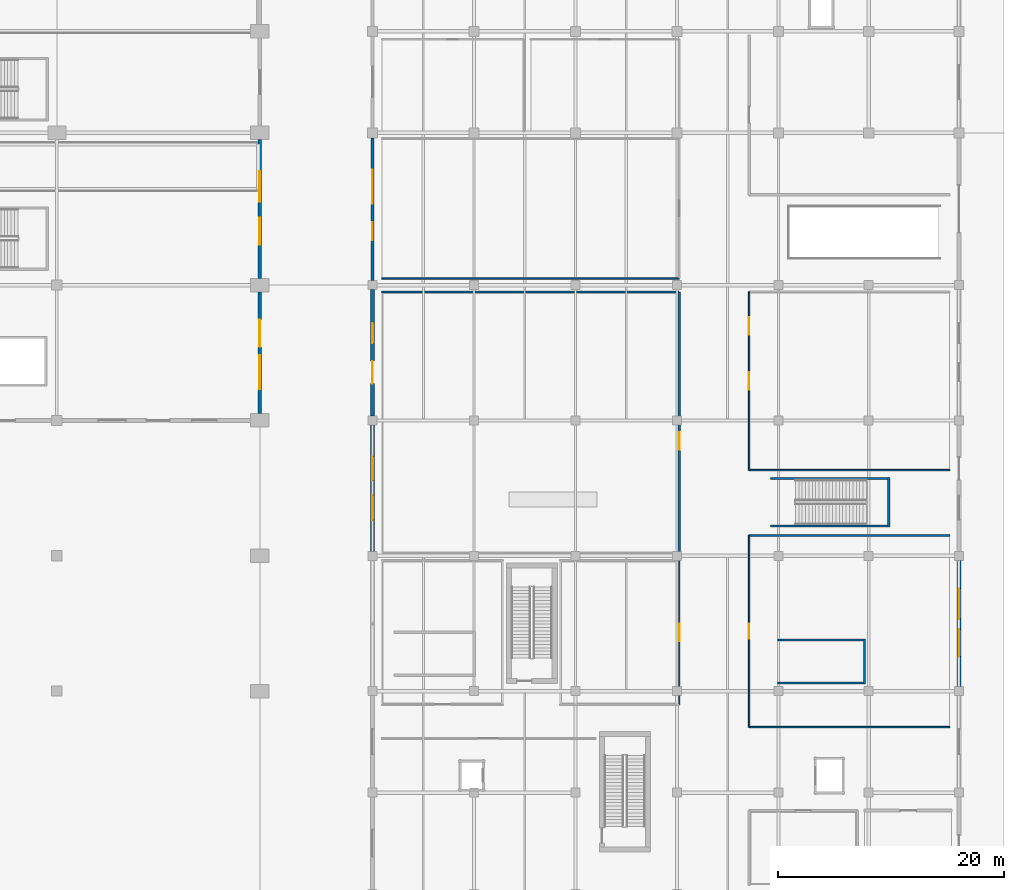
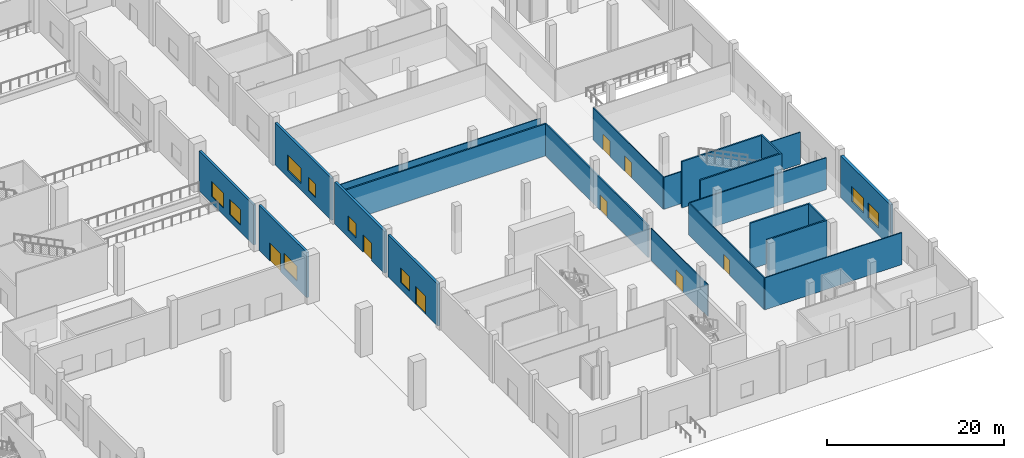
# One storey, part 23 of 65: 21 walls, 9 windows, 8 doors, 17 openings.
"""IFC4 building model written with IfcOpenShell, lengths in metres."""

import ifcopenshell
import ifcopenshell.guid

model = None  # the IFC model being written
_history = None  # IfcOwnerHistory: only IFC2X3 demands one
_inside = {}  # id of a spatial element -> (the spatial element, [elements in it])
_under = {}  # id of a project, library or spatial element -> (it, [spatial elements below it])
_declared = {}  # id of a project -> (the project, [libraries it declares])
_typed = {}  # id of a type object -> (the type object, [elements of that type])
_made_of = {}  # id of a material, layer set ... -> (it, [elements and type objects made of it])


def new_model(schema):
    """Start an empty IFC model of exactly this schema.

    Asked for "IFC4X3", IfcOpenShell would pick the latest addendum, in which some entities
    have other attributes; the version numbers below select the first issue.
    IFC2X3 requires an IfcOwnerHistory on every rooted entity: one is made here for all.
    """
    global model, _history
    if schema == "IFC4X3":
        model = ifcopenshell.file(schema_version=(4, 3, 0, 0))
    else:
        model = ifcopenshell.file(schema=schema)
    _inside.clear()
    _under.clear()
    _declared.clear()
    _typed.clear()
    _made_of.clear()
    _history = None
    if model.schema == "IFC2X3":
        org = make("IfcOrganization", Name="unknown")
        user = make(
            "IfcPersonAndOrganization",
            ThePerson=make("IfcPerson", FamilyName="unknown"),
            TheOrganization=org,
        )
        app = make(
            "IfcApplication",
            ApplicationDeveloper=org,
            Version="unknown",
            ApplicationFullName="unknown",
            ApplicationIdentifier="unknown",
        )
        _history = make(
            "IfcOwnerHistory",
            OwningUser=user,
            OwningApplication=app,
            ChangeAction="ADDED",
            CreationDate=0,
        )
    return model


def make(cls, **values):
    """One entity of the class cls with the attributes given. An attribute that is None is left unset."""
    return model.create_entity(
        cls, **{name: value for name, value in values.items() if value is not None}
    )


def rooted(cls, **values):
    """An entity with a GlobalId (a new one), such as an element, a storey or a relation."""
    return make(cls, GlobalId=ifcopenshell.guid.new(), OwnerHistory=_history, **values)


def si_unit(unit_type, name, prefix=None):
    """IfcSIUnit, for example si_unit("LENGTHUNIT", "METRE", prefix="MILLI")."""
    return make("IfcSIUnit", UnitType=unit_type, Prefix=prefix, Name=name)


def assignment(units):
    """IfcUnitAssignment: the units of a project."""
    return None if units is None else make("IfcUnitAssignment", Units=units)


def point(xyz):
    """IfcCartesianPoint."""
    return None if xyz is None else make("IfcCartesianPoint", Coordinates=xyz)


def direction(xyz):
    """IfcDirection."""
    return None if xyz is None else make("IfcDirection", DirectionRatios=xyz)


def frame(location, z_axis=None, x_axis=None):
    """IfcAxis2Placement3D, a coordinate frame: its origin and axes. An axis left out is left unset."""
    return make(
        "IfcAxis2Placement3D",
        Location=point(location),
        Axis=direction(z_axis),
        RefDirection=direction(x_axis),
    )


def frame_2d(location, x_axis=None):
    """IfcAxis2Placement2D, a coordinate frame in the plane: its origin and x axis."""
    return make(
        "IfcAxis2Placement2D", Location=point(location), RefDirection=direction(x_axis)
    )


def origin():
    """The frame at (0, 0, 0) with its axes left unset."""
    return frame((0.0, 0.0, 0.0))


def place(relative_to, where):
    """IfcLocalPlacement: puts the frame where relative to a parent placement (None: the world)."""
    return make(
        "IfcLocalPlacement", PlacementRelTo=relative_to, RelativePlacement=where
    )


def context(
    kind, dimensions, precision=None, world=None, true_north=None, identifier=None
):
    """IfcGeometricRepresentationContext, for example the 3D "Model" context."""
    return make(
        "IfcGeometricRepresentationContext",
        ContextIdentifier=identifier,
        ContextType=kind,
        CoordinateSpaceDimension=dimensions,
        Precision=precision,
        WorldCoordinateSystem=world,
        TrueNorth=true_north,
    )


def subcontext(parent, identifier, kind, view, scale=None):
    """IfcGeometricRepresentationSubContext, for example "Body" below "Model"."""
    return make(
        "IfcGeometricRepresentationSubContext",
        ContextIdentifier=identifier,
        ContextType=kind,
        ParentContext=parent,
        TargetScale=scale,
        TargetView=view,
    )


def project(units=None, contexts=None):
    """IfcProject with its units and contexts."""
    return rooted(
        "IfcProject",
        Name="project",
        RepresentationContexts=contexts,
        UnitsInContext=assignment(units),
    )


def spatial(cls, under=None, at=None, **own):
    """A site, building, storey or space (cls), placed at a placement, below another one or the project."""
    s = rooted(cls, ObjectPlacement=at, **own)
    if under is not None:
        _under.setdefault(under.id(), (under, []))[1].append(s)
    return s


def profile(cls, at=None, kind="AREA", **sizes):
    """A parametric profile (cls). Its sizes go by their IFC names, for example OverallWidth=200.0."""
    return make(cls, ProfileType=kind, Position=at, **sizes)


def rectangle(**sizes):
    """IfcRectangleProfileDef."""
    return profile("IfcRectangleProfileDef", **sizes)


def extrude(swept, where, along, depth):
    """IfcExtrudedAreaSolid: the profile swept, set in the frame where, extruded along a direction by depth."""
    return make(
        "IfcExtrudedAreaSolid",
        SweptArea=swept,
        Position=where,
        ExtrudedDirection=direction(along),
        Depth=depth,
    )


def shape(context_of_items, identifier, shape_type, items):
    """IfcShapeRepresentation: the items that make up one representation, for example the "Body"."""
    return make(
        "IfcShapeRepresentation",
        ContextOfItems=context_of_items,
        RepresentationIdentifier=identifier,
        RepresentationType=shape_type,
        Items=items,
    )


def material(Name=None, Category=None):
    """IfcMaterial."""
    return make("IfcMaterial", Name=Name, Category=Category)


def layer(
    of_material, thickness, ventilated=None, Name=None, Category=None, Priority=None
):
    """IfcMaterialLayer: one layer of a wall or slab, of a material (None: an air gap)."""
    return make(
        "IfcMaterialLayer",
        Material=of_material,
        LayerThickness=thickness,
        IsVentilated=ventilated,
        Name=Name,
        Category=Category,
        Priority=Priority,
    )


def layer_set(layers, Name=None):
    """IfcMaterialLayerSet."""
    return make("IfcMaterialLayerSet", MaterialLayers=layers, LayerSetName=Name)


def made_of(thing, what):
    """Note that an element or type object is made of a material, layer set ...; save() writes the relation."""
    if what is not None:
        _made_of.setdefault(what.id(), (what, []))[1].append(thing)
    return thing


def type_object(cls, material=None, **own):
    """A type object (cls), such as IfcWallType, which elements share."""
    return made_of(rooted(cls, **own), material)


def element(
    cls,
    number,
    at=None,
    inside=None,
    cuts=None,
    type_object=None,
    material=None,
    context=None,
    identifier="Body",
    shape_type=None,
    held_by="IfcProductDefinitionShape",
    body=None,
    shapes=None,
    **own,
):
    """One element of the class cls, such as IfcWall. Its Tag is "e" and its number.

    at: its placement. inside: the storey or other place that contains it. cuts: it is an
    opening in that element (IfcRelVoidsElement). A single representation is given by context,
    identifier, shape_type and body (its items); several are given by shapes. held_by: the class
    of the entity that holds the representations. save() writes the other relations.
    """
    e = rooted(cls, Tag="e%d" % number, ObjectPlacement=at, **own)
    if body is not None:
        shapes = [shape(context, identifier, shape_type, body)]
    if shapes is not None:
        e.Representation = make(held_by, Representations=shapes)
    if inside is not None:
        _inside.setdefault(inside.id(), (inside, []))[1].append(e)
    if cuts is not None:
        rooted(
            "IfcRelVoidsElement", RelatingBuildingElement=cuts, RelatedOpeningElement=e
        )
    if type_object is not None:
        _typed.setdefault(type_object.id(), (type_object, []))[1].append(e)
    return made_of(e, material)


def fill(opening, filler):
    """IfcRelFillsElement: the door or window that sits in an opening."""
    return rooted(
        "IfcRelFillsElement",
        RelatingOpeningElement=opening,
        RelatedBuildingElement=filler,
    )


def aggregate(whole, parts):
    """IfcRelAggregates: a whole, such as a stair, and the parts it consists of."""
    return rooted("IfcRelAggregates", RelatingObject=whole, RelatedObjects=parts)


def save(model, path):
    """Write the relations noted so far, then the file.

    IfcRelAggregates (storeys below a building ...), IfcRelContainedInSpatialStructure (elements
    in a storey), IfcRelDefinesByType, IfcRelAssociatesMaterial and IfcRelDeclares: one each for
    every whole, place, type object, material and project.
    """
    for whole, parts in _under.values():
        aggregate(whole, parts)
    for where, things in _inside.values():
        rooted(
            "IfcRelContainedInSpatialStructure",
            RelatedElements=things,
            RelatingStructure=where,
        )
    for kind, things in _typed.values():
        rooted("IfcRelDefinesByType", RelatedObjects=things, RelatingType=kind)
    for what, things in _made_of.values():
        rooted("IfcRelAssociatesMaterial", RelatedObjects=things, RelatingMaterial=what)
    for by, libraries in _declared.values():
        rooted("IfcRelDeclares", RelatingContext=by, RelatedDefinitions=libraries)
    model.write(path)


model = new_model("IFC4")

# Units and contexts
model_context = context("Model", 3, precision=1e-05, world=origin(), true_north=direction((0.0, 1.0)))
body_context = subcontext(model_context, "Body", "Model", "MODEL_VIEW")
ifc_project = project(units=[si_unit("LENGTHUNIT", "METRE"), si_unit("AREAUNIT", "SQUARE_METRE"), si_unit("VOLUMEUNIT", "CUBIC_METRE"), si_unit("PLANEANGLEUNIT", "RADIAN"), si_unit("MASSUNIT", "GRAM", prefix="KILO")], contexts=[model_context])

# Site, building, storey
site_placement = place(None, origin())
site = spatial("IfcSite", under=ifc_project, at=site_placement, CompositionType="ELEMENT")
building_placement = place(site_placement, origin())
building = spatial("IfcBuilding", under=site, at=building_placement, Name="Chuanluo Vaults Station", CompositionType="ELEMENT")
storey_placement = place(building_placement, origin())
storey = spatial("IfcBuildingStorey", under=building, at=storey_placement, Name="L00", CompositionType="ELEMENT", Elevation=0.0)

# Wall, openings, door, window
ifc_material_1 = material(Name="Concrete C40", Category="concrete")
ifc_layer_1 = layer(ifc_material_1, 0.300048828125)
ifc_layer_set_1 = layer_set([ifc_layer_1], Name="Concrete C40")
wall_type_1 = type_object("IfcWallType", Name="WL-EXT-300", PredefinedType="SOLIDWALL", material=ifc_layer_set_1)
wall_1_placement = place(storey_placement, frame((126.0, 53.39990234375, 0.0), z_axis=(0.0, 0.0, 1.0), x_axis=(0.0, -1.0, 0.0)))
wall_1 = element("IfcWall", 1, at=wall_1_placement, inside=storey, type_object=wall_type_1, Name="Passage concourse wall", PredefinedType="SOLIDWALL", context=body_context, shape_type="SweptSolid", body=[
    extrude(rectangle(XDim=10.7998046875, YDim=0.300048828125, at=frame_2d((5.39990234375, 0.0))), origin(), (0.0, 0.0, 1.0), 6.22509765625),
])
opening_1_placement = place(wall_1_placement, frame((2.466796875, 0.0, 0.0)))
opening_1 = element("IfcOpeningElement", 2, at=opening_1_placement, cuts=wall_1, Name="Opening D-E04", PredefinedType="OPENING", context=body_context, shape_type="SweptSolid", body=[
    extrude(rectangle(XDim=2.39990234375, YDim=2.5, at=frame_2d((1.199951171875, 1.25))), frame((0.0, 0.1599, 0.0), z_axis=(0.0, -1.0, 0.0), x_axis=(1.0, 0.0, 0.0)), (0.0, 0.0, 1.0), 0.32005),
])
opening_2_placement = place(wall_1_placement, frame((5.63330078125, 0.0, 0.949951171875)))
opening_2 = element("IfcOpeningElement", 3, at=opening_2_placement, cuts=wall_1, Name="Opening W-16", PredefinedType="OPENING", context=body_context, shape_type="SweptSolid", body=[
    extrude(rectangle(XDim=3.0, YDim=2.10009765625, at=frame_2d((1.5, 1.050048828125))), frame((0.0, 0.1599, 0.0), z_axis=(0.0, -1.0, 0.0), x_axis=(1.0, 0.0, 0.0)), (0.0, 0.0, 1.0), 0.32005),
])
ifc_material_2 = material(Name="Anodised aluminium 6063-T6", Category="aluminium")
door_type_1 = type_object("IfcDoorType", Name="DR-EXT-2400x2500", OperationType="NOTDEFINED", PredefinedType="DOOR", material=ifc_material_2)
door_1_placement = place(opening_1_placement, origin())
door_1 = element("IfcDoor", 4, at=door_1_placement, inside=storey, type_object=door_type_1, Name="D-031 Passage concourse wall exit door", OperationType="SINGLE_SWING_LEFT", OverallHeight=2.5, OverallWidth=2.39990234375, PredefinedType="DOOR", context=body_context, shape_type="SweptSolid", body=[
    extrude(rectangle(XDim=2.39990234375, YDim=2.5, at=frame_2d((1.199951171875, 1.25))), frame((0.0, 0.02490234375, 0.0), z_axis=(0.0, -1.0, 0.0), x_axis=(1.0, 0.0, 0.0)), (0.0, 0.0, 1.0), 0.050048828125),
])
fill(opening_1, door_1)
ifc_material_3 = material(Name="Double-silver Low-E laminated glass", Category="glass")
window_type_1 = type_object("IfcWindowType", Name="WN-RET-3000x2100", PartitioningType="SINGLE_PANEL", PredefinedType="WINDOW", material=ifc_material_3)
window_1_placement = place(opening_2_placement, origin())
window_1 = element("IfcWindow", 5, at=window_1_placement, inside=storey, type_object=window_type_1, Name="W-031 Ground streetwall window", OverallHeight=2.10009765625, OverallWidth=3.0, PartitioningType="SINGLE_PANEL", PredefinedType="WINDOW", context=body_context, shape_type="SweptSolid", body=[
    extrude(rectangle(XDim=3.0, YDim=2.10009765625, at=frame_2d((1.5, 1.050048828125))), frame((0.0, 0.030029296875, 0.0), z_axis=(0.0, -1.0, 0.0), x_axis=(1.0, 0.0, 0.0)), (0.0, 0.0, 1.0), 0.06005859375),
])
fill(opening_2, window_1)

# Wall, openings, windows
wall_2_placement = place(storey_placement, frame((126.0, 66.89990234375, 0.0), z_axis=(0.0, 0.0, 1.0), x_axis=(0.0, -1.0, 0.0)))
wall_2 = element("IfcWall", 6, at=wall_2_placement, inside=storey, type_object=wall_type_1, Name="Passage train-shed wall 1", PredefinedType="SOLIDWALL", context=body_context, shape_type="SweptSolid", body=[
    extrude(rectangle(XDim=12.2998046875, YDim=0.300048828125, at=frame_2d((6.14990234375, 0.0))), origin(), (0.0, 0.0, 1.0), 5.4951171875),
])
opening_3_placement = place(wall_2_placement, frame((2.816650390625, 0.0, 0.949951171875)))
opening_3 = element("IfcOpeningElement", 7, at=opening_3_placement, cuts=wall_2, Name="Opening W-17", PredefinedType="OPENING", context=body_context, shape_type="SweptSolid", body=[
    extrude(rectangle(XDim=2.699951171875, YDim=2.10009765625, at=frame_2d((1.35009765625, 1.050048828125))), frame((0.0, 0.1599, 0.0), z_axis=(0.0, -1.0, 0.0), x_axis=(1.0, 0.0, 0.0)), (0.0, 0.0, 1.0), 0.32005),
])
opening_4_placement = place(wall_2_placement, frame((6.933349609375, 0.0, 0.949951171875)))
opening_4 = element("IfcOpeningElement", 8, at=opening_4_placement, cuts=wall_2, Name="Opening W-18", PredefinedType="OPENING", context=body_context, shape_type="SweptSolid", body=[
    extrude(rectangle(XDim=2.39990234375, YDim=2.10009765625, at=frame_2d((1.199951171875, 1.050048828125))), frame((0.0, 0.1599, 0.0), z_axis=(0.0, -1.0, 0.0), x_axis=(1.0, 0.0, 0.0)), (0.0, 0.0, 1.0), 0.32005),
])
ifc_material_4 = material(Name="Double-silver Low-E laminated glass", Category="glass")
window_type_2 = type_object("IfcWindowType", Name="WN-RET-2400x2100", PartitioningType="SINGLE_PANEL", PredefinedType="WINDOW", material=ifc_material_4)
window_2_placement = place(opening_4_placement, origin())
window_2 = element("IfcWindow", 9, at=window_2_placement, inside=storey, type_object=window_type_2, Name="W-033 Ground streetwall window", OverallHeight=2.10009765625, OverallWidth=2.39990234375, PartitioningType="SINGLE_PANEL", PredefinedType="WINDOW", context=body_context, shape_type="SweptSolid", body=[
    extrude(rectangle(XDim=2.39990234375, YDim=2.10009765625, at=frame_2d((1.199951171875, 1.050048828125))), frame((0.0, 0.030029296875, 0.0), z_axis=(0.0, -1.0, 0.0), x_axis=(1.0, 0.0, 0.0)), (0.0, 0.0, 1.0), 0.06005859375),
])
fill(opening_4, window_2)
ifc_material_5 = material(Name="Double-silver Low-E laminated glass", Category="glass")
window_type_3 = type_object("IfcWindowType", Name="WN-RET-2700x2100", PartitioningType="SINGLE_PANEL", PredefinedType="WINDOW", material=ifc_material_5)
window_3_placement = place(opening_3_placement, origin())
window_3 = element("IfcWindow", 10, at=window_3_placement, inside=storey, type_object=window_type_3, Name="W-032 Ground streetwall window", OverallHeight=2.10009765625, OverallWidth=2.699951171875, PartitioningType="SINGLE_PANEL", PredefinedType="WINDOW", context=body_context, shape_type="SweptSolid", body=[
    extrude(rectangle(XDim=2.699951171875, YDim=2.10009765625, at=frame_2d((1.35009765625, 1.050048828125))), frame((0.0, 0.030029296875, 0.0), z_axis=(0.0, -1.0, 0.0), x_axis=(1.0, 0.0, 0.0)), (0.0, 0.0, 1.0), 0.06005859375),
])
fill(opening_3, window_3)

wall_3_placement = place(storey_placement, frame((136.0, 54.39990234375, 0.0), z_axis=(0.0, 0.0, 1.0), x_axis=(0.0, 1.0, 0.0)))
wall_3 = element("IfcWall", 11, at=wall_3_placement, inside=storey, type_object=wall_type_1, Name="Operations west passage wall 1", PredefinedType="SOLIDWALL", context=body_context, shape_type="SweptSolid", body=[
    extrude(rectangle(XDim=12.650146484375, YDim=0.300048828125, at=frame_2d((6.3251953125, 0.0))), origin(), (0.0, 0.0, 1.0), 5.77001953125),
])
opening_5_placement = place(wall_3_placement, frame((3.566650390625, 0.0, 0.949951171875)))
opening_5 = element("IfcOpeningElement", 12, at=opening_5_placement, cuts=wall_3, Name="Opening W-21", PredefinedType="OPENING", context=body_context, shape_type="SweptSolid", body=[
    extrude(rectangle(XDim=1.60009765625, YDim=1.89990234375, at=frame_2d((0.800048828125, 0.949951171875))), frame((0.0, 0.1599, 0.0), z_axis=(0.0, -1.0, 0.0), x_axis=(1.0, 0.0, 0.0)), (0.0, 0.0, 1.0), 0.32005),
])
opening_6_placement = place(wall_3_placement, frame((6.833251953125, 0.0, 0.949951171875)))
opening_6 = element("IfcOpeningElement", 13, at=opening_6_placement, cuts=wall_3, Name="Opening W-16", PredefinedType="OPENING", context=body_context, shape_type="SweptSolid", body=[
    extrude(rectangle(XDim=3.0, YDim=2.10009765625, at=frame_2d((1.5, 1.050048828125))), frame((0.0, 0.1599, 0.0), z_axis=(0.0, -1.0, 0.0), x_axis=(1.0, 0.0, 0.0)), (0.0, 0.0, 1.0), 0.32005),
])
ifc_material_6 = material(Name="Double-silver Low-E laminated glass", Category="glass")
window_type_4 = type_object("IfcWindowType", Name="WN-RET-1600x1900", PartitioningType="SINGLE_PANEL", PredefinedType="WINDOW", material=ifc_material_6)
window_4_placement = place(opening_5_placement, origin())
window_4 = element("IfcWindow", 14, at=window_4_placement, inside=storey, type_object=window_type_4, Name="W-042 Ground streetwall window", OverallHeight=1.89990234375, OverallWidth=1.60009765625, PartitioningType="SINGLE_PANEL", PredefinedType="WINDOW", context=body_context, shape_type="SweptSolid", body=[
    extrude(rectangle(XDim=1.60009765625, YDim=1.89990234375, at=frame_2d((0.800048828125, 0.949951171875))), frame((0.0, 0.030029296875, 0.0), z_axis=(0.0, -1.0, 0.0), x_axis=(1.0, 0.0, 0.0)), (0.0, 0.0, 1.0), 0.06005859375),
])
fill(opening_5, window_4)
window_5_placement = place(opening_6_placement, origin())
window_5 = element("IfcWindow", 15, at=window_5_placement, inside=storey, type_object=window_type_1, Name="W-043 Ground streetwall window", OverallHeight=2.10009765625, OverallWidth=3.0, PartitioningType="SINGLE_PANEL", PredefinedType="WINDOW", context=body_context, shape_type="SweptSolid", body=[
    extrude(rectangle(XDim=3.0, YDim=2.10009765625, at=frame_2d((1.5, 1.050048828125))), frame((0.0, 0.030029296875, 0.0), z_axis=(0.0, -1.0, 0.0), x_axis=(1.0, 0.0, 0.0)), (0.0, 0.0, 1.0), 0.06005859375),
])
fill(opening_6, window_5)

# Wall, openings, door, window
ifc_material_7 = material(Name="Concrete C40", Category="concrete")
ifc_layer_2 = layer(ifc_material_7, 0.320068359375)
ifc_layer_set_2 = layer_set([ifc_layer_2], Name="Concrete C40")
wall_type_2 = type_object("IfcWallType", Name="WL-EXT-320", PredefinedType="SOLIDWALL", material=ifc_layer_set_2)
wall_4_placement = place(storey_placement, frame((136.0, 30.39990234375, 0.0), z_axis=(0.0, 0.0, 1.0), x_axis=(0.0, 1.0, 0.0)))
wall_4 = element("IfcWall", 16, at=wall_4_placement, inside=storey, type_object=wall_type_2, Name="Retail pavilion west wall 4", PredefinedType="SOLIDWALL", context=body_context, shape_type="SweptSolid", body=[
    extrude(rectangle(XDim=11.2001953125, YDim=0.320068359375, at=frame_2d((5.60009765625, 0.0))), origin(), (0.0, 0.0, 1.0), 5.784912109375),
])
opening_7_placement = place(wall_4_placement, frame((2.7666015625, 0.0, 0.0)))
opening_7 = element("IfcOpeningElement", 17, at=opening_7_placement, cuts=wall_4, Name="Opening D-E05", PredefinedType="OPENING", context=body_context, shape_type="SweptSolid", body=[
    extrude(rectangle(XDim=2.199951171875, YDim=2.449951171875, at=frame_2d((1.10009765625, 1.22509765625))), frame((0.0, 0.17016, 0.0), z_axis=(0.0, -1.0, 0.0), x_axis=(1.0, 0.0, 0.0)), (0.0, 0.0, 1.0), 0.34007),
])
opening_8_placement = place(wall_4_placement, frame((6.283203125, 0.0, 0.949951171875)))
opening_8 = element("IfcOpeningElement", 18, at=opening_8_placement, cuts=wall_4, Name="Opening W-19", PredefinedType="OPENING", context=body_context, shape_type="SweptSolid", body=[
    extrude(rectangle(XDim=2.10009765625, YDim=2.0, at=frame_2d((1.050048828125, 1.0))), frame((0.0, 0.17016, 0.0), z_axis=(0.0, -1.0, 0.0), x_axis=(1.0, 0.0, 0.0)), (0.0, 0.0, 1.0), 0.34007),
])
ifc_material_8 = material(Name="Anodised aluminium 6063-T6", Category="aluminium")
door_type_2 = type_object("IfcDoorType", Name="DR-EXT-2200x2450", OperationType="NOTDEFINED", PredefinedType="DOOR", material=ifc_material_8)
door_2_placement = place(opening_7_placement, origin())
door_2 = element("IfcDoor", 19, at=door_2_placement, inside=storey, type_object=door_type_2, Name="D-033 Retail pavilion west wall 4 exit door", OperationType="SINGLE_SWING_LEFT", OverallHeight=2.449951171875, OverallWidth=2.199951171875, PredefinedType="DOOR", context=body_context, shape_type="SweptSolid", body=[
    extrude(rectangle(XDim=2.199951171875, YDim=2.449951171875, at=frame_2d((1.10009765625, 1.22509765625))), frame((0.0, 0.02490234375, 0.0), z_axis=(0.0, -1.0, 0.0), x_axis=(1.0, 0.0, 0.0)), (0.0, 0.0, 1.0), 0.050048828125),
])
fill(opening_7, door_2)
ifc_material_9 = material(Name="Double-silver Low-E laminated glass", Category="glass")
window_type_5 = type_object("IfcWindowType", Name="WN-RET-2100x2000", PartitioningType="SINGLE_PANEL", PredefinedType="WINDOW", material=ifc_material_9)
window_6_placement = place(opening_8_placement, origin())
window_6 = element("IfcWindow", 20, at=window_6_placement, inside=storey, type_object=window_type_5, Name="W-040 Ground streetwall window", OverallHeight=2.0, OverallWidth=2.10009765625, PartitioningType="SINGLE_PANEL", PredefinedType="WINDOW", context=body_context, shape_type="SweptSolid", body=[
    extrude(rectangle(XDim=2.10009765625, YDim=2.0, at=frame_2d((1.050048828125, 1.0))), frame((0.0, 0.030029296875, 0.0), z_axis=(0.0, -1.0, 0.0), x_axis=(1.0, 0.0, 0.0)), (0.0, 0.0, 1.0), 0.06005859375),
])
fill(opening_8, window_6)

wall_5_placement = place(storey_placement, frame((136.0, 42.39990234375, 0.0), z_axis=(0.0, 0.0, 1.0), x_axis=(0.0, 1.0, 0.0)))
wall_5 = element("IfcWall", 21, at=wall_5_placement, inside=storey, type_object=wall_type_2, Name="Retail pavilion west wall 5", PredefinedType="SOLIDWALL", context=body_context, shape_type="SweptSolid", body=[
    extrude(rectangle(XDim=11.2001953125, YDim=0.320068359375, at=frame_2d((5.60009765625, 0.0))), origin(), (0.0, 0.0, 1.0), 5.77001953125),
])
opening_9_placement = place(wall_5_placement, frame((2.86669921875, 0.0, 0.0)))
opening_9 = element("IfcOpeningElement", 22, at=opening_9_placement, cuts=wall_5, Name="Opening D-E06", PredefinedType="OPENING", context=body_context, shape_type="SweptSolid", body=[
    extrude(rectangle(XDim=2.0, YDim=2.39990234375, at=frame_2d((1.0, 1.199951171875))), frame((0.0, 0.17016, 0.0), z_axis=(0.0, -1.0, 0.0), x_axis=(1.0, 0.0, 0.0)), (0.0, 0.0, 1.0), 0.34007),
])
opening_10_placement = place(wall_5_placement, frame((6.433349609375, 0.0, 0.949951171875)))
opening_10 = element("IfcOpeningElement", 23, at=opening_10_placement, cuts=wall_5, Name="Opening W-20", PredefinedType="OPENING", context=body_context, shape_type="SweptSolid", body=[
    extrude(rectangle(XDim=1.800048828125, YDim=2.0, at=frame_2d((0.89990234375, 1.0))), frame((0.0, 0.17016, 0.0), z_axis=(0.0, -1.0, 0.0), x_axis=(1.0, 0.0, 0.0)), (0.0, 0.0, 1.0), 0.34007),
])
ifc_material_10 = material(Name="Anodised aluminium 6063-T6", Category="aluminium")
door_type_3 = type_object("IfcDoorType", Name="DR-EXT-2000x2400", OperationType="NOTDEFINED", PredefinedType="DOOR", material=ifc_material_10)
door_3_placement = place(opening_9_placement, origin())
door_3 = element("IfcDoor", 24, at=door_3_placement, inside=storey, type_object=door_type_3, Name="D-034 Retail pavilion west wall 5 exit door", OperationType="SINGLE_SWING_RIGHT", OverallHeight=2.39990234375, OverallWidth=2.0, PredefinedType="DOOR", context=body_context, shape_type="SweptSolid", body=[
    extrude(rectangle(XDim=2.0, YDim=2.39990234375, at=frame_2d((1.0, 1.199951171875))), frame((0.0, 0.02490234375, 0.0), z_axis=(0.0, -1.0, 0.0), x_axis=(1.0, 0.0, 0.0)), (0.0, 0.0, 1.0), 0.050048828125),
])
fill(opening_9, door_3)
ifc_material_11 = material(Name="Double-silver Low-E laminated glass", Category="glass")
window_type_6 = type_object("IfcWindowType", Name="WN-RET-1800x2000", PartitioningType="SINGLE_PANEL", PredefinedType="WINDOW", material=ifc_material_11)
window_7_placement = place(opening_10_placement, origin())
window_7 = element("IfcWindow", 25, at=window_7_placement, inside=storey, type_object=window_type_6, Name="W-041 Ground streetwall window", OverallHeight=2.0, OverallWidth=1.800048828125, PartitioningType="SINGLE_PANEL", PredefinedType="WINDOW", context=body_context, shape_type="SweptSolid", body=[
    extrude(rectangle(XDim=1.800048828125, YDim=2.0, at=frame_2d((0.89990234375, 1.0))), frame((0.0, 0.030029296875, 0.0), z_axis=(0.0, -1.0, 0.0), x_axis=(1.0, 0.0, 0.0)), (0.0, 0.0, 1.0), 0.06005859375),
])
fill(opening_10, window_7)

# Wall, openings, windows
ifc_material_12 = material(Name="Concrete C50", Category="concrete")
ifc_layer_3 = layer(ifc_material_12, 0.360107421875)
ifc_layer_set_3 = layer_set([ifc_layer_3], Name="Concrete C50")
wall_type_3 = type_object("IfcWallType", Name="WL-EXT-360", PredefinedType="SOLIDWALL", material=ifc_layer_set_3)
wall_6_placement = place(storey_placement, frame((188.0, 29.60009765625, 0.0), z_axis=(0.0, 0.0, 1.0), x_axis=(0.0, -1.0, 0.0)))
wall_6 = element("IfcWall", 26, at=wall_6_placement, inside=storey, type_object=wall_type_3, Name="East streetwall 3", PredefinedType="SOLIDWALL", context=body_context, shape_type="SweptSolid", body=[
    extrude(rectangle(XDim=11.2001953125, YDim=0.360107421875, at=frame_2d((5.60009765625, 0.0))), origin(), (0.0, 0.0, 1.0), 5.7548828125),
])
opening_11_placement = place(wall_6_placement, frame((2.5166015625, 0.0, 0.949951171875)))
opening_11 = element("IfcOpeningElement", 27, at=opening_11_placement, cuts=wall_6, Name="Opening W-17", PredefinedType="OPENING", context=body_context, shape_type="SweptSolid", body=[
    extrude(rectangle(XDim=2.699951171875, YDim=2.10009765625, at=frame_2d((1.35009765625, 1.050048828125))), frame((0.0, 0.19018, 0.0), z_axis=(0.0, -1.0, 0.0), x_axis=(1.0, 0.0, 0.0)), (0.0, 0.0, 1.0), 0.38011),
])
opening_12_placement = place(wall_6_placement, frame((6.13330078125, 0.0, 0.949951171875)))
opening_12 = element("IfcOpeningElement", 28, at=opening_12_placement, cuts=wall_6, Name="Opening W-18", PredefinedType="OPENING", context=body_context, shape_type="SweptSolid", body=[
    extrude(rectangle(XDim=2.39990234375, YDim=2.10009765625, at=frame_2d((1.199951171875, 1.050048828125))), frame((0.0, 0.19018, 0.0), z_axis=(0.0, -1.0, 0.0), x_axis=(1.0, 0.0, 0.0)), (0.0, 0.0, 1.0), 0.38011),
])
window_8_placement = place(opening_12_placement, origin())
window_8 = element("IfcWindow", 29, at=window_8_placement, inside=storey, type_object=window_type_2, Name="W-051 Ground streetwall window", OverallHeight=2.10009765625, OverallWidth=2.39990234375, PartitioningType="SINGLE_PANEL", PredefinedType="WINDOW", context=body_context, shape_type="SweptSolid", body=[
    extrude(rectangle(XDim=2.39990234375, YDim=2.10009765625, at=frame_2d((1.199951171875, 1.050048828125))), frame((0.0, 0.030029296875, 0.0), z_axis=(0.0, -1.0, 0.0), x_axis=(1.0, 0.0, 0.0)), (0.0, 0.0, 1.0), 0.06005859375),
])
fill(opening_12, window_8)
window_9_placement = place(opening_11_placement, origin())
window_9 = element("IfcWindow", 30, at=window_9_placement, inside=storey, type_object=window_type_3, Name="W-050 Ground streetwall window", OverallHeight=2.10009765625, OverallWidth=2.699951171875, PartitioningType="SINGLE_PANEL", PredefinedType="WINDOW", context=body_context, shape_type="SweptSolid", body=[
    extrude(rectangle(XDim=2.699951171875, YDim=2.10009765625, at=frame_2d((1.35009765625, 1.050048828125))), frame((0.0, 0.030029296875, 0.0), z_axis=(0.0, -1.0, 0.0), x_axis=(1.0, 0.0, 0.0)), (0.0, 0.0, 1.0), 0.06005859375),
])
fill(opening_11, window_9)

# Wall, opening, door
ifc_material_13 = material(Name="Masonry blockwork M10", Category="masonry")
ifc_layer_4 = layer(ifc_material_13, 0.110107421875)
ifc_layer_set_4 = layer_set([ifc_layer_4], Name="Masonry blockwork M10")
wall_type_4 = type_object("IfcWallType", Name="WL-PRT-110", PredefinedType="PARTITIONING", material=ifc_layer_set_4)
wall_7_placement = place(storey_placement, frame((163.199951171875, 29.60009765625, 0.0), z_axis=(0.0, 0.0, 1.0), x_axis=(0.0, -1.0, 0.0)))
wall_7 = element("IfcWall", 31, at=wall_7_placement, inside=storey, type_object=wall_type_4, Name="L00-15 Forecourt Espresso and Tea Bar E partition", PredefinedType="PARTITIONING", context=body_context, shape_type="SweptSolid", body=[
    extrude(rectangle(XDim=12.800048828125, YDim=0.110107421875, at=frame_2d((6.39990234375, 0.0))), origin(), (0.0, 0.0, 1.0), 4.39990234375),
])
opening_13_placement = place(wall_7_placement, frame((5.625, 0.0, 0.0)))
opening_13 = element("IfcOpeningElement", 32, at=opening_13_placement, cuts=wall_7, Name="Opening D-I03", PredefinedType="OPENING", context=body_context, shape_type="SweptSolid", body=[
    extrude(rectangle(XDim=1.550048828125, YDim=2.10009765625, at=frame_2d((0.77490234375, 1.050048828125))), frame((0.0, 0.06518, 0.0), z_axis=(0.0, -1.0, 0.0), x_axis=(1.0, 0.0, 0.0)), (0.0, 0.0, 1.0), 0.13011),
])
ifc_material_14 = material(Name="Anodised aluminium 6063-T6", Category="aluminium")
door_type_4 = type_object("IfcDoorType", Name="DR-INT-1550x2100", OperationType="NOTDEFINED", PredefinedType="DOOR", material=ifc_material_14)
door_4_placement = place(opening_13_placement, origin())
door_4 = element("IfcDoor", 33, at=door_4_placement, inside=storey, type_object=door_type_4, Name="D-161 Forecourt Espresso and Tea Bar door", OperationType="SINGLE_SWING_RIGHT", OverallHeight=2.10009765625, OverallWidth=1.550048828125, PredefinedType="DOOR", context=body_context, shape_type="SweptSolid", body=[
    extrude(rectangle(XDim=1.550048828125, YDim=2.10009765625, at=frame_2d((0.77490234375, 1.050048828125))), frame((0.0, 0.02490234375, 0.0), z_axis=(0.0, -1.0, 0.0), x_axis=(1.0, 0.0, 0.0)), (0.0, 0.0, 1.0), 0.050048828125),
])
fill(opening_13, door_4)

# Walls
ifc_material_15 = material(Name="Masonry blockwork M10", Category="masonry")
ifc_layer_5 = layer(ifc_material_15, 0.1201171875)
ifc_layer_set_5 = layer_set([ifc_layer_5], Name="Masonry blockwork M10")
wall_type_5 = type_object("IfcWallType", Name="WL-PRT-120", PredefinedType="PARTITIONING", material=ifc_layer_set_5)
wall_8_placement = place(storey_placement, frame((163.199951171875, 54.60009765625, 0.0), z_axis=(0.0, 0.0, 1.0), x_axis=(-1.0, 0.0, 0.0)))
element("IfcWall", 34, at=wall_8_placement, inside=storey, type_object=wall_type_5, Name="L00-21 First-Aid and Medical Triage Suite S partition", PredefinedType="PARTITIONING", context=body_context, shape_type="SweptSolid", body=[
    extrude(rectangle(XDim=26.39990234375, YDim=0.1201171875, at=frame_2d((13.199951171875, 0.0))), origin(), (0.0, 0.0, 1.0), 4.39990234375),
])
ifc_material_16 = material(Name="Masonry blockwork M10", Category="masonry")
ifc_layer_6 = layer(ifc_material_16, 0.1298828125)
ifc_layer_set_6 = layer_set([ifc_layer_6], Name="Masonry blockwork M10")
wall_type_6 = type_object("IfcWallType", Name="WL-PRT-130", PredefinedType="PARTITIONING", material=ifc_layer_set_6)
wall_9_placement = place(storey_placement, frame((187.199951171875, 37.60009765625, 0.0), z_axis=(0.0, 0.0, 1.0), x_axis=(-1.0, 0.0, 0.0)))
element("IfcWall", 35, at=wall_9_placement, inside=storey, type_object=wall_type_6, Name="L00-20 Left-Luggage and Locker Hall S partition", PredefinedType="PARTITIONING", context=body_context, shape_type="SweptSolid", body=[
    extrude(rectangle(XDim=17.800048828125, YDim=0.1298828125, at=frame_2d((8.89990234375, 0.0))), origin(), (0.0, 0.0, 1.0), 4.39990234375),
])

# Wall, openings, doors
wall_10_placement = place(storey_placement, frame((169.39990234375, 37.60009765625, 0.0), z_axis=(0.0, 0.0, 1.0), x_axis=(0.0, 1.0, 0.0)))
wall_10 = element("IfcWall", 36, at=wall_10_placement, inside=storey, type_object=wall_type_6, Name="L00-20 Left-Luggage and Locker Hall W partition", PredefinedType="PARTITIONING", context=body_context, shape_type="SweptSolid", body=[
    extrude(rectangle(XDim=15.7998046875, YDim=0.1298828125, at=frame_2d((7.89990234375, 0.0))), origin(), (0.0, 0.0, 1.0), 4.39990234375),
])
opening_14_placement = place(wall_10_placement, frame((7.125, 0.0, 0.0)))
opening_14 = element("IfcOpeningElement", 37, at=opening_14_placement, cuts=wall_10, Name="Opening D-I03", PredefinedType="OPENING", context=body_context, shape_type="SweptSolid", body=[
    extrude(rectangle(XDim=1.550048828125, YDim=2.10009765625, at=frame_2d((0.77490234375, 1.050048828125))), frame((0.0, 0.07494, 0.0), z_axis=(0.0, -1.0, 0.0), x_axis=(1.0, 0.0, 0.0)), (0.0, 0.0, 1.0), 0.14988),
])
opening_15_placement = place(wall_10_placement, frame((12.008056640625, 0.0, 0.0)))
opening_15 = element("IfcOpeningElement", 38, at=opening_15_placement, cuts=wall_10, Name="Opening D-I03", PredefinedType="OPENING", context=body_context, shape_type="SweptSolid", body=[
    extrude(rectangle(XDim=1.550048828125, YDim=2.10009765625, at=frame_2d((0.77490234375, 1.050048828125))), frame((0.0, 0.07494, 0.0), z_axis=(0.0, -1.0, 0.0), x_axis=(1.0, 0.0, 0.0)), (0.0, 0.0, 1.0), 0.14988),
])
door_5_placement = place(opening_14_placement, origin())
door_5 = element("IfcDoor", 39, at=door_5_placement, inside=storey, type_object=door_type_4, Name="D-167 Left-Luggage and Locker Hall door", OperationType="SINGLE_SWING_RIGHT", OverallHeight=2.10009765625, OverallWidth=1.550048828125, PredefinedType="DOOR", context=body_context, shape_type="SweptSolid", body=[
    extrude(rectangle(XDim=1.550048828125, YDim=2.10009765625, at=frame_2d((0.77490234375, 1.050048828125))), frame((0.0, 0.02490234375, 0.0), z_axis=(0.0, -1.0, 0.0), x_axis=(1.0, 0.0, 0.0)), (0.0, 0.0, 1.0), 0.050048828125),
])
fill(opening_14, door_5)
door_6_placement = place(opening_15_placement, origin())
door_6 = element("IfcDoor", 40, at=door_6_placement, inside=storey, type_object=door_type_4, Name="D-168 Left-Luggage and Locker Hall secondary exit door", OperationType="SINGLE_SWING_LEFT", OverallHeight=2.10009765625, OverallWidth=1.550048828125, PredefinedType="DOOR", context=body_context, shape_type="SweptSolid", body=[
    extrude(rectangle(XDim=1.550048828125, YDim=2.10009765625, at=frame_2d((0.77490234375, 1.050048828125))), frame((0.0, 0.02490234375, 0.0), z_axis=(0.0, -1.0, 0.0), x_axis=(1.0, 0.0, 0.0)), (0.0, 0.0, 1.0), 0.050048828125),
])
fill(opening_15, door_6)

# Walls
ifc_material_17 = material(Name="Autoclaved aerated concrete blockwork MU10", Category="masonry")
ifc_layer_7 = layer(ifc_material_17, 0.139892578125)
ifc_layer_set_7 = layer_set([ifc_layer_7], Name="Autoclaved aerated concrete blockwork MU10")
wall_type_7 = type_object("IfcWallType", Name="WL-PRT-140", PredefinedType="PARTITIONING", material=ifc_layer_set_7)
for number, where, z_axis, x_axis, name in (
    (41, (187.199951171875, 14.800048828125, 0.0), (0.0, 0.0, 1.0), (-1.0, 0.0, 0.0), "L00-19 Tourist Information and Mobility Desk S partition"),
    (42, (169.39990234375, 31.800048828125, 0.0), (0.0, 0.0, 1.0), (1.0, 0.0, 0.0), "L00-19 Tourist Information and Mobility Desk N partition"),
):
    element("IfcWall", number, at=place(storey_placement, frame(where, z_axis=z_axis, x_axis=x_axis)), inside=storey, type_object=wall_type_7, Name=name, PredefinedType="PARTITIONING", context=body_context, shape_type="SweptSolid", body=[
        extrude(rectangle(XDim=17.800048828125, YDim=0.139892578125, at=frame_2d((8.89990234375, 0.0))), origin(), (0.0, 0.0, 1.0), 4.39990234375),
    ])

# Wall, opening, door
wall_11_placement = place(storey_placement, frame((169.39990234375, 14.800048828125, 0.0), z_axis=(0.0, 0.0, 1.0), x_axis=(0.0, 1.0, 0.0)))
wall_11 = element("IfcWall", 43, at=wall_11_placement, inside=storey, type_object=wall_type_7, Name="L00-19 Tourist Information and Mobility Desk W partition", PredefinedType="PARTITIONING", context=body_context, shape_type="SweptSolid", body=[
    extrude(rectangle(XDim=17.0, YDim=0.139892578125, at=frame_2d((8.5, 0.0))), origin(), (0.0, 0.0, 1.0), 4.39990234375),
])
opening_16_placement = place(wall_11_placement, frame((7.824951171875, 0.0, 0.0)))
opening_16 = element("IfcOpeningElement", 44, at=opening_16_placement, cuts=wall_11, Name="Opening D-I04", PredefinedType="OPENING", context=body_context, shape_type="SweptSolid", body=[
    extrude(rectangle(XDim=1.35009765625, YDim=2.10009765625, at=frame_2d((0.675048828125, 1.050048828125))), frame((0.0, 0.07982, 0.0), z_axis=(0.0, -1.0, 0.0), x_axis=(1.0, 0.0, 0.0)), (0.0, 0.0, 1.0), 0.15989),
])
ifc_material_18 = material(Name="Anodised aluminium 6063-T6", Category="aluminium")
door_type_5 = type_object("IfcDoorType", Name="DR-INT-1350x2100", OperationType="NOTDEFINED", PredefinedType="DOOR", material=ifc_material_18)
door_7_placement = place(opening_16_placement, origin())
door_7 = element("IfcDoor", 45, at=door_7_placement, inside=storey, type_object=door_type_5, Name="D-166 Tourist Information and Mobility Desk door", OperationType="SINGLE_SWING_LEFT", OverallHeight=2.10009765625, OverallWidth=1.35009765625, PredefinedType="DOOR", context=body_context, shape_type="SweptSolid", body=[
    extrude(rectangle(XDim=1.35009765625, YDim=2.10009765625, at=frame_2d((0.675048828125, 1.050048828125))), frame((0.0, 0.02490234375, 0.0), z_axis=(0.0, -1.0, 0.0), x_axis=(1.0, 0.0, 0.0)), (0.0, 0.0, 1.0), 0.050048828125),
])
fill(opening_16, door_7)

# Wall
ifc_material_19 = material(Name="Autoclaved aerated concrete blockwork MU10", Category="masonry")
ifc_layer_8 = layer(ifc_material_19, 0.18994140625)
ifc_layer_set_8 = layer_set([ifc_layer_8], Name="Autoclaved aerated concrete blockwork MU10")
wall_type_8 = type_object("IfcWallType", Name="WL-PRT-190", PredefinedType="PARTITIONING", material=ifc_layer_set_8)
wall_12_placement = place(storey_placement, frame((136.800048828125, 53.39990234375, 0.0), z_axis=(0.0, 0.0, 1.0), x_axis=(1.0, 0.0, 0.0)))
element("IfcWall", 46, at=wall_12_placement, inside=storey, type_object=wall_type_8, Name="L00-16 Travel Pharmacy and Bookstore N partition", PredefinedType="PARTITIONING", context=body_context, shape_type="SweptSolid", body=[
    extrude(rectangle(XDim=26.39990234375, YDim=0.18994140625, at=frame_2d((13.199951171875, 0.0))), origin(), (0.0, 0.0, 1.0), 4.39990234375),
])

# Wall, opening, door
wall_13_placement = place(storey_placement, frame((163.199951171875, 53.39990234375, 0.0), z_axis=(0.0, 0.0, 1.0), x_axis=(0.0, -1.0, 0.0)))
wall_13 = element("IfcWall", 47, at=wall_13_placement, inside=storey, type_object=wall_type_8, Name="L00-16 Travel Pharmacy and Bookstore E partition", PredefinedType="PARTITIONING", context=body_context, shape_type="SweptSolid", body=[
    extrude(rectangle(XDim=23.199951171875, YDim=0.18994140625, at=frame_2d((11.60009765625, 0.0))), origin(), (0.0, 0.0, 1.0), 4.39990234375),
])
opening_17_placement = place(wall_13_placement, frame((12.425048828125, 0.0, 0.0)))
opening_17 = element("IfcOpeningElement", 48, at=opening_17_placement, cuts=wall_13, Name="Opening D-I03", PredefinedType="OPENING", context=body_context, shape_type="SweptSolid", body=[
    extrude(rectangle(XDim=1.550048828125, YDim=2.10009765625, at=frame_2d((0.77490234375, 1.050048828125))), frame((0.0, 0.10497, 0.0), z_axis=(0.0, -1.0, 0.0), x_axis=(1.0, 0.0, 0.0)), (0.0, 0.0, 1.0), 0.20994),
])
door_8_placement = place(opening_17_placement, origin())
door_8 = element("IfcDoor", 49, at=door_8_placement, inside=storey, type_object=door_type_4, Name="D-163 Travel Pharmacy and Bookstore door", OperationType="SINGLE_SWING_RIGHT", OverallHeight=2.10009765625, OverallWidth=1.550048828125, PredefinedType="DOOR", context=body_context, shape_type="SweptSolid", body=[
    extrude(rectangle(XDim=1.550048828125, YDim=2.10009765625, at=frame_2d((0.77490234375, 1.050048828125))), frame((0.0, 0.02490234375, 0.0), z_axis=(0.0, -1.0, 0.0), x_axis=(1.0, 0.0, 0.0)), (0.0, 0.0, 1.0), 0.050048828125),
])
fill(opening_17, door_8)

# Walls
ifc_material_20 = material(Name="Concrete C40", Category="concrete")
ifc_layer_9 = layer(ifc_material_20, 0.199951171875)
ifc_layer_set_9 = layer_set([ifc_layer_9], Name="Concrete C40")
wall_type_9 = type_object("IfcWallType", Name="WL-SHF-200", PredefinedType="SOLIDWALL", material=ifc_layer_set_9)
for number, where, z_axis, x_axis, name in (
    (50, (171.300048828125, 32.64990234375, 0.0), (0.0, 0.0, 1.0), (1.0, 0.0, 0.0), "Stair ST-26 south shaft wall L00"),
    (51, (181.875, 36.85009765625, 0.0), (0.0, 0.0, 1.0), (-1.0, 0.0, 0.0), "Stair ST-26 north shaft wall L00"),
):
    element("IfcWall", number, at=place(storey_placement, frame(where, z_axis=z_axis, x_axis=x_axis)), inside=storey, type_object=wall_type_9, Name=name, PredefinedType="SOLIDWALL", context=body_context, shape_type="SweptSolid", body=[
        extrude(rectangle(XDim=10.574951171875, YDim=0.199951171875, at=frame_2d((5.28759765625, 0.0))), origin(), (0.0, 0.0, 1.0), 6.360107421875),
    ])
wall_14_placement = place(storey_placement, frame((181.77490234375, 32.550048828125, 0.0), z_axis=(0.0, 0.0, 1.0), x_axis=(0.0, 1.0, 0.0)))
element("IfcWall", 52, at=wall_14_placement, inside=storey, type_object=wall_type_9, Name="Stair ST-26 far shaft wall L00", PredefinedType="SOLIDWALL", context=body_context, shape_type="SweptSolid", body=[
    extrude(rectangle(XDim=4.39990234375, YDim=0.199951171875, at=frame_2d((2.199951171875, 0.0))), origin(), (0.0, 0.0, 1.0), 6.360107421875),
])
for number, where, z_axis, x_axis, name in (
    (53, (171.925048828125, 18.71240234375, 0.0), (0.0, 0.0, 1.0), (1.0, 0.0, 0.0), "Stair ST-27 south shaft wall L00"),
    (54, (179.722412109375, 22.532470703125, 0.0), (0.0, 0.0, 1.0), (-1.0, 0.0, 0.0), "Stair ST-27 north shaft wall L00"),
):
    element("IfcWall", number, at=place(storey_placement, frame(where, z_axis=z_axis, x_axis=x_axis)), inside=storey, type_object=wall_type_9, Name=name, PredefinedType="SOLIDWALL", context=body_context, shape_type="SweptSolid", body=[
        extrude(rectangle(XDim=7.79736328125, YDim=0.199951171875, at=frame_2d((3.898681640625, 0.0))), origin(), (0.0, 0.0, 1.0), 6.360107421875),
    ])
wall_15_placement = place(storey_placement, frame((179.62255859375, 18.612548828125, 0.0), z_axis=(0.0, 0.0, 1.0), x_axis=(0.0, 1.0, 0.0)))
element("IfcWall", 55, at=wall_15_placement, inside=storey, type_object=wall_type_9, Name="Stair ST-27 far shaft wall L00", PredefinedType="SOLIDWALL", context=body_context, shape_type="SweptSolid", body=[
    extrude(rectangle(XDim=4.02001953125, YDim=0.199951171875, at=frame_2d((2.010009765625, 0.0))), origin(), (0.0, 0.0, 1.0), 6.360107421875),
])

save(model, "model.ifc")
